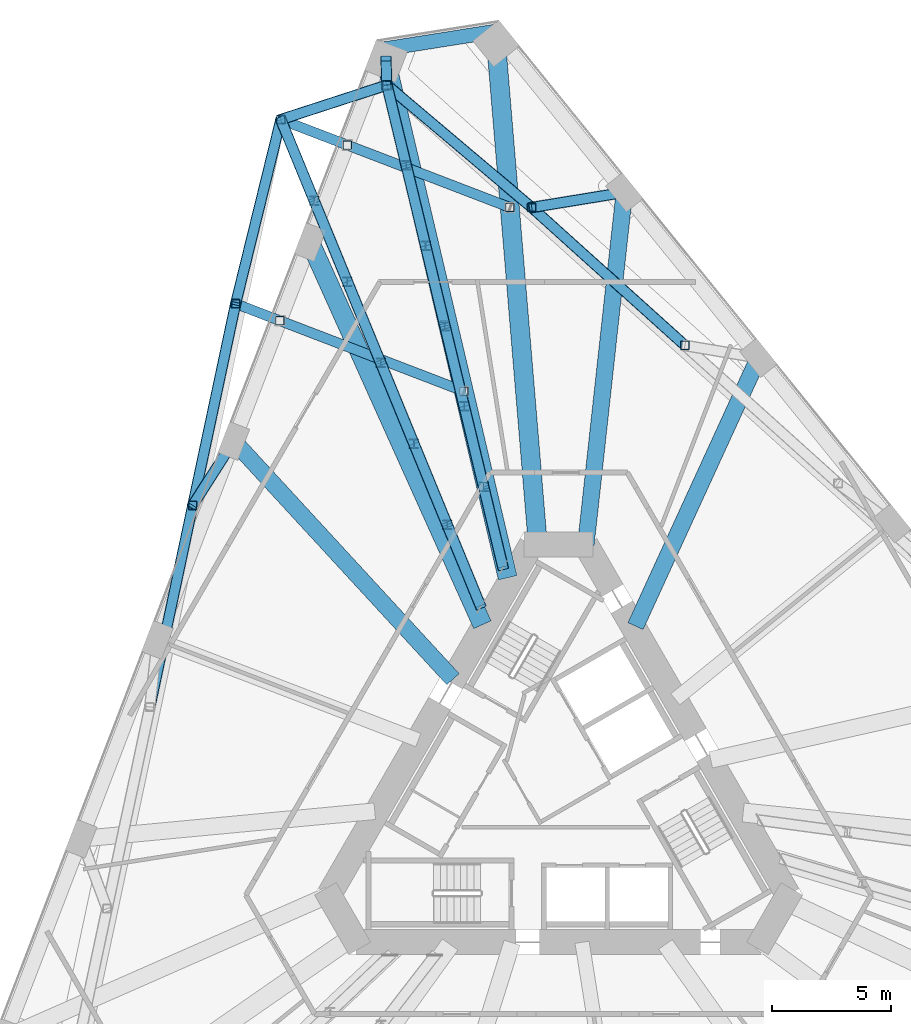
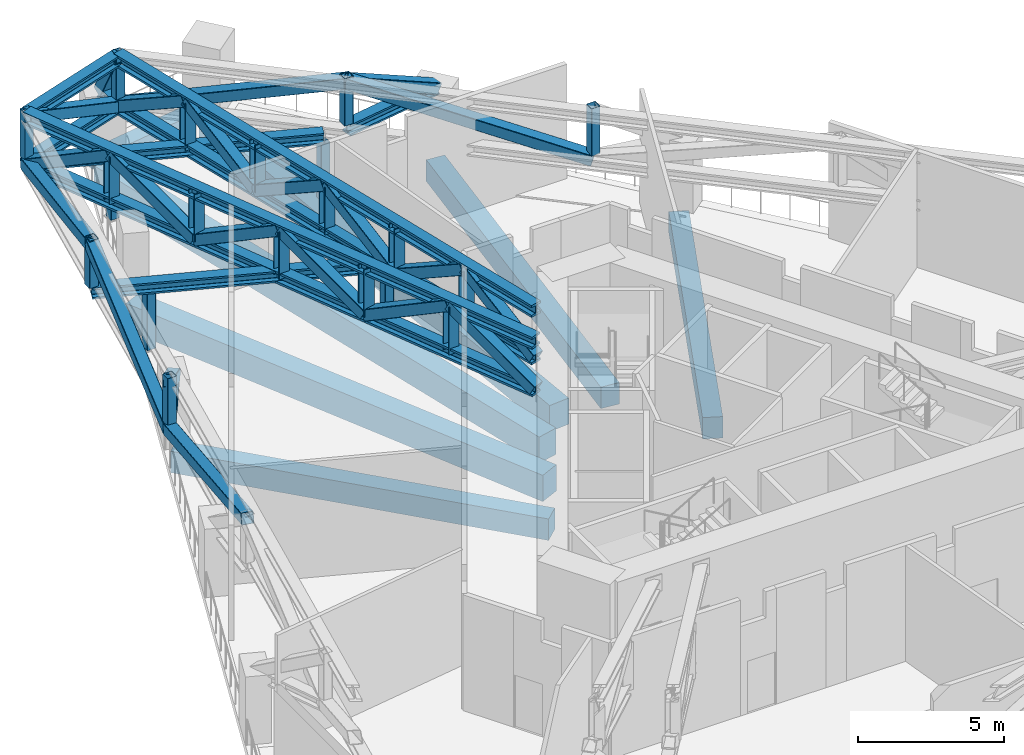
# One storey, part 7 of 20: 52 members, 7 beams.
"""IFC4 building model written with IfcOpenShell, lengths in metres."""

from ifc_helpers import new_model, si_unit, direction, frame, origin, origin_2d, place, context, subcontext, project, spatial, rectangle, hollow_rectangle, i_section, extrude, material, material_profile, profile_set, type_object, element, save


model = new_model("IFC4")

# Units and contexts
model_context = context("Model", 3, precision=1e-05, world=origin(), true_north=direction((0.0, 1.0)))
body_context = subcontext(model_context, "Body", "Model", "MODEL_VIEW")
ifc_project = project(units=[si_unit("LENGTHUNIT", "METRE"), si_unit("AREAUNIT", "SQUARE_METRE"), si_unit("VOLUMEUNIT", "CUBIC_METRE"), si_unit("PLANEANGLEUNIT", "RADIAN"), si_unit("MASSUNIT", "GRAM", prefix="KILO")], contexts=[model_context])

# Site, building, storey
site_placement = place(None, origin())
site = spatial("IfcSite", under=ifc_project, at=site_placement, CompositionType="ELEMENT")
building_placement = place(site_placement, origin())
building = spatial("IfcBuilding", under=site, at=building_placement, Name="Tramontana Tower", CompositionType="ELEMENT")
storey_placement = place(building_placement, frame((0.0, 0.0, 83.199951171875)))
storey = spatial("IfcBuildingStorey", under=building, at=storey_placement, Name="L18", CompositionType="ELEMENT", Elevation=83.199951171875)

# Members
ifc_material_1 = material(Name="Steel ASTM A500 Grade C", Category="steel")
ifc_material_profile_1 = material_profile(ifc_material_1, hollow_rectangle(XDim=0.355712890625, YDim=0.355712890625, WallThickness=0.01171875, InnerFilletRadius=0.01171875, OuterFilletRadius=0.023681640625, at=origin_2d()), Name="HSS14X14X1/2")
ifc_profile_set_1 = profile_set([ifc_material_profile_1], Name="Steel ASTM A500 Grade C")
member_type_1 = type_object("IfcMemberType", Name="Belt truss HSS14X14X1/2 post", PredefinedType="POST", material=ifc_profile_set_1)
for number, where, z_axis, x_axis, name in (
    (1, (-11.665771484375, 28.3251953125, 2.86376953125), (0.0, 0.0, 1.0), (1.0, 0.0, 0.0), "Belt truss post C2K1"),
    (2, (-13.5654296875, 20.5908203125, 2.86376953125), (0.0, 0.0, 1.0), (1.0, 0.0, 0.0), "Belt truss post C2F01"),
    (3, (-15.365966796875, 12.119873046875, 2.86376953125), (0.0, 0.0, 1.0), (1.0, 0.0, 0.0), "Belt truss post C2F02"),
    (4, (5.307373046875, 18.8369140625, 2.86376953125), (0.0, 0.0, 1.0), (1.0, 0.0, 0.0), "Belt truss post C2F14"),
    (5, (-1.12841796875, 24.6318359375, 2.86376953125), (0.0, 0.0, 1.0), (1.0, 0.0, 0.0), "Belt truss post C2F15"),
    (6, (-7.211181640625, 29.7724609375, 2.86376953125), (0.0, 0.0, 1.0), (1.0, 0.0, 0.0), "Belt truss post C2K6"),
):
    element("IfcMember", number, at=place(storey_placement, frame(where, z_axis=z_axis, x_axis=x_axis)), inside=storey, type_object=member_type_1, Name=name, PredefinedType="POST", context=body_context, shape_type="SweptSolid", body=[
        extrude(hollow_rectangle(XDim=0.355712890625, YDim=0.355712890625, WallThickness=0.01171875, InnerFilletRadius=0.01171875, OuterFilletRadius=0.023681640625, at=origin_2d()), origin(), (0.0, 0.0, 1.0), 1.986328125),
    ])
ifc_material_2 = material(Name="Steel ASTM A500 Grade C", Category="steel")
ifc_material_profile_2 = material_profile(ifc_material_2, hollow_rectangle(XDim=0.457275390625, YDim=0.457275390625, WallThickness=0.017822265625, InnerFilletRadius=0.017822265625, OuterFilletRadius=0.035400390625, at=origin_2d()), Name="HSS18X18X3/4")
ifc_profile_set_2 = profile_set([ifc_material_profile_2], Name="Steel ASTM A500 Grade C")
member_type_2 = type_object("IfcMemberType", Name="Belt truss HSS18X18X3/4 brace", PredefinedType="BRACE", material=ifc_profile_set_2)
member_1_placement = place(storey_placement, frame((-11.665771484375, 28.3251953125, 2.6318359375), z_axis=(-0.231433839461, -0.942272719974, 0.241992766721), x_axis=(0.971136795993, -0.238523213688, 0.0)))
element("IfcMember", 7, at=member_1_placement, inside=storey, type_object=member_type_2, Name="Belt truss diagonal S0.1", PredefinedType="BRACE", context=body_context, shape_type="SweptSolid", body=[
    extrude(hollow_rectangle(XDim=0.457275390625, YDim=0.457275390625, WallThickness=0.017822265625, InnerFilletRadius=0.017822265625, OuterFilletRadius=0.035400390625, at=origin_2d()), origin(), (0.0, 0.0, 1.0), 8.208251953125),
])
for number, where, z_axis, x_axis, name in (
    (8, (-13.5654296875, 20.5908203125, 4.6181640625), (-0.202647600211, -0.953391699594, -0.223558084788), (0.978148030837, -0.207909667332, 0.0), "Belt truss diagonal S0.2"),
    (9, (-15.365966796875, 12.119873046875, 2.6318359375), (-0.202647600211, -0.953391699594, 0.223558084788), (0.978148030837, -0.207909667332, 0.0), "Belt truss diagonal S0.3"),
):
    element("IfcMember", number, at=place(storey_placement, frame(where, z_axis=z_axis, x_axis=x_axis)), inside=storey, type_object=member_type_2, Name=name, PredefinedType="BRACE", context=body_context, shape_type="SweptSolid", body=[
        extrude(hollow_rectangle(XDim=0.457275390625, YDim=0.457275390625, WallThickness=0.017822265625, InnerFilletRadius=0.017822265625, OuterFilletRadius=0.035400390625, at=origin_2d()), origin(), (0.0, 0.0, 1.0), 8.885009765625),
    ])
member_2_placement = place(storey_placement, frame((5.307373046875, 18.8369140625, 2.6318359375), z_axis=(-0.724330544345, 0.652202488546, 0.223555756944), x_axis=(-0.669137596533, -0.743138531437, 0.0)))
element("IfcMember", 10, at=member_2_placement, inside=storey, type_object=member_type_2, Name="Belt truss diagonal S2.5", PredefinedType="BRACE", context=body_context, shape_type="SweptSolid", body=[
    extrude(hollow_rectangle(XDim=0.457275390625, YDim=0.457275390625, WallThickness=0.017822265625, InnerFilletRadius=0.017822265625, OuterFilletRadius=0.035400390625, at=origin_2d()), origin(), (0.0, 0.0, 1.0), 8.88525390625),
])
member_3_placement = place(storey_placement, frame((-1.12841796875, 24.6318359375, 4.6181640625), z_axis=(-0.741075934579, 0.626293191993, -0.24199854721), x_axis=(-0.645479015429, -0.763778004816, 0.0)))
element("IfcMember", 11, at=member_3_placement, inside=storey, type_object=member_type_2, Name="Belt truss diagonal S2.6", PredefinedType="BRACE", context=body_context, shape_type="SweptSolid", body=[
    extrude(hollow_rectangle(XDim=0.457275390625, YDim=0.457275390625, WallThickness=0.017822265625, InnerFilletRadius=0.017822265625, OuterFilletRadius=0.035400390625, at=origin_2d()), origin(), (0.0, 0.0, 1.0), 8.2080078125),
])
member_4_placement = place(storey_placement, frame((-7.211181640625, 29.7724609375, 2.6318359375), z_axis=(-0.875581665308, -0.284470465414, 0.390427076013), x_axis=(0.308994138449, -0.951063942332, 0.0)))
element("IfcMember", 12, at=member_4_placement, inside=storey, type_object=member_type_2, Name="Belt truss diagonal K0.1", PredefinedType="BRACE", context=body_context, shape_type="SweptSolid", body=[
    extrude(hollow_rectangle(XDim=0.457275390625, YDim=0.457275390625, WallThickness=0.017822265625, InnerFilletRadius=0.017822265625, OuterFilletRadius=0.035400390625, at=origin_2d()), origin(), (0.0, 0.0, 1.0), 5.087646484375),
])
ifc_material_3 = material(Name="Steel ASTM A992 Grade 50", Category="steel")
ifc_material_profile_3 = material_profile(ifc_material_3, i_section(OverallWidth=0.42236328125, OverallDepth=0.463623046875, WebThickness=0.04443359375, FlangeThickness=0.072998046875, FilletRadius=0.014892578125, at=origin_2d()), Name="W14X398")
ifc_profile_set_3 = profile_set([ifc_material_profile_3], Name="Steel ASTM A992 Grade 50")
member_type_3 = type_object("IfcMemberType", Name="Belt truss W14X398 chord", PredefinedType="CHORD", material=ifc_profile_set_3)
for number, where, z_axis, x_axis, name in (
    (13, (-7.211181640625, 29.7724609375, 2.6318359375), (-0.951063942332, -0.308994138449, 0.0), (0.308994138449, -0.951063942332, 0.0), "Belt truss bottom chord K0"),
    (14, (-7.211181640625, 29.7724609375, 4.6181640625), (-0.951063942332, -0.308994138449, 0.0), (0.308994138449, -0.951063942332, 0.0), "Belt truss top chord K0"),
):
    element("IfcMember", number, at=place(storey_placement, frame(where, z_axis=z_axis, x_axis=x_axis)), inside=storey, type_object=member_type_3, Name=name, PredefinedType="CHORD", context=body_context, shape_type="SweptSolid", body=[
        extrude(i_section(OverallWidth=0.42236328125, OverallDepth=0.463623046875, WebThickness=0.04443359375, FlangeThickness=0.072998046875, FilletRadius=0.014892578125, at=origin_2d()), origin(), (0.0, 0.0, 1.0), 4.683837890625),
    ])

# Beams
ifc_material_4 = material(Name="Concrete 40 MPa", Category="concrete")
ifc_material_profile_4 = material_profile(ifc_material_4, rectangle(XDim=0.60009765625, YDim=0.35009765625, at=origin_2d()), Name="RC EDGE BEAM 600X350 40 MPa")
ifc_profile_set_4 = profile_set([ifc_material_profile_4], Name="Concrete 40 MPa")
beam_type_1 = type_object("IfcBeamType", Name="RC EDGE BEAM 600X350 40 MPa", PredefinedType="SPANDREL", material=ifc_profile_set_4)
beam_1_placement = place(storey_placement, frame((-2.447509765625, 32.061767578125, -0.52490234375), z_axis=(-0.987692388858, -0.156408903173, 0.0), x_axis=(0.156408903173, -0.987692388858, 0.0)))
element("IfcBeam", 15, at=beam_1_placement, inside=storey, type_object=beam_type_1, Name="Spandrel beam K0 L18", PredefinedType="SPANDREL", context=body_context, shape_type="SweptSolid", body=[
    extrude(rectangle(XDim=0.60009765625, YDim=0.35009765625, at=origin_2d()), origin(), (0.0, 0.0, 1.0), 5.1962890625),
])
ifc_material_5 = material(Name="Concrete 40 MPa", Category="concrete")
ifc_material_profile_5 = material_profile(ifc_material_5, rectangle(XDim=0.699951171875, YDim=0.89990234375, at=origin_2d()), Name="RC GIRDER 700X900 40 MPa")
ifc_profile_set_5 = profile_set([ifc_material_profile_5], Name="Concrete 40 MPa")
beam_type_2 = type_object("IfcBeamType", Name="RC GIRDER 700X900 40 MPa", PredefinedType="BEAM", material=ifc_profile_set_5)
beam_2_placement = place(storey_placement, frame((-13.64404296875, 14.822998046875, -0.800048828125), z_axis=(0.677237750705, -0.735764248261, 0.0), x_axis=(0.735764248261, 0.677237750705, 0.0)))
element("IfcBeam", 16, at=beam_2_placement, inside=storey, type_object=beam_type_2, Name="Radial girder C1F02 L18", PredefinedType="BEAM", context=body_context, shape_type="SweptSolid", body=[
    extrude(rectangle(XDim=0.699951171875, YDim=0.89990234375, at=origin_2d()), origin(), (0.0, 0.0, 1.0), 13.598876953125),
])
beam_3_placement = place(storey_placement, frame((8.395751953125, 18.31396484375, -0.800048828125), z_axis=(-0.416724572993, -0.909032799333, 0.0), x_axis=(0.909032799333, -0.416724572993, 0.0)))
element("IfcBeam", 17, at=beam_3_placement, inside=storey, type_object=beam_type_2, Name="Radial girder C1F14 L18", PredefinedType="BEAM", context=body_context, shape_type="SweptSolid", body=[
    extrude(rectangle(XDim=0.699951171875, YDim=0.89990234375, at=origin_2d()), origin(), (0.0, 0.0, 1.0), 12.393798828125),
])
beam_4_placement = place(storey_placement, frame((2.763916015625, 25.2685546875, -0.800048828125), z_axis=(-0.108724057734, -0.994071968858, 0.0), x_axis=(0.994071968858, -0.108724057734, 0.0)))
element("IfcBeam", 18, at=beam_4_placement, inside=storey, type_object=beam_type_2, Name="Radial girder C1F15 L18", PredefinedType="BEAM", context=body_context, shape_type="SweptSolid", body=[
    extrude(rectangle(XDim=0.699951171875, YDim=0.89990234375, at=origin_2d()), origin(), (0.0, 0.0, 1.0), 14.878662109375),
])
ifc_material_6 = material(Name="Concrete 40 MPa", Category="concrete")
ifc_material_profile_6 = material_profile(ifc_material_6, rectangle(XDim=0.800048828125, YDim=1.10009765625, at=origin_2d()), Name="RC GIRDER 800X1100 40 MPa")
ifc_profile_set_6 = profile_set([ifc_material_profile_6], Name="Concrete 40 MPa")
beam_type_3 = type_object("IfcBeamType", Name="RC GIRDER 800X1100 40 MPa", PredefinedType="BEAM", material=ifc_profile_set_6)
beam_5_placement = place(storey_placement, frame((-7.24755859375, 30.7890625, -0.89990234375), z_axis=(0.229129631405, -0.973395917401, 0.0), x_axis=(0.973395917401, 0.229129631405, 0.0)))
element("IfcBeam", 19, at=beam_5_placement, inside=storey, type_object=beam_type_3, Name="Radial girder C1K1 L18", PredefinedType="BEAM", context=body_context, shape_type="SweptSolid", body=[
    extrude(rectangle(XDim=0.800048828125, YDim=1.10009765625, at=origin_2d()), origin(), (0.0, 0.0, 1.0), 22.30322265625),
])
beam_6_placement = place(storey_placement, frame((-10.43701171875, 23.177490234375, -0.89990234375), z_axis=(0.410600793892, -0.91181521596, 0.0), x_axis=(0.91181521596, 0.410600793892, 0.0)))
element("IfcBeam", 20, at=beam_6_placement, inside=storey, type_object=beam_type_3, Name="Radial girder C1F01 L18", PredefinedType="BEAM", context=body_context, shape_type="SweptSolid", body=[
    extrude(rectangle(XDim=0.800048828125, YDim=1.10009765625, at=origin_2d()), origin(), (0.0, 0.0, 1.0), 17.626220703125),
])
beam_7_placement = place(storey_placement, frame((-2.62158203125, 31.521728515625, -0.89990234375), z_axis=(0.082880913658, -0.996559458412, 0.0), x_axis=(0.996559458412, 0.082880913658, 0.0)))
element("IfcBeam", 21, at=beam_7_placement, inside=storey, type_object=beam_type_3, Name="Radial girder C1K6 L18", PredefinedType="BEAM", context=body_context, shape_type="SweptSolid", body=[
    extrude(rectangle(XDim=0.800048828125, YDim=1.10009765625, at=origin_2d()), origin(), (0.0, 0.0, 1.0), 21.11767578125),
])

# Members
ifc_material_7 = material(Name="Steel ASTM A500 Grade C", Category="steel")
ifc_material_profile_7 = material_profile(ifc_material_7, hollow_rectangle(XDim=0.355712890625, YDim=0.355712890625, WallThickness=0.01171875, InnerFilletRadius=0.01171875, OuterFilletRadius=0.023681640625, at=origin_2d()), Name="HSS14X14X1/2")
ifc_profile_set_7 = profile_set([ifc_material_profile_7], Name="Steel ASTM A500 Grade C")
member_type_4 = type_object("IfcMemberType", Name="Transfer truss HSS14X14X1/2 post", PredefinedType="POST", material=ifc_profile_set_7)
for number, where, z_axis, x_axis, name in (
    (22, (-11.704345703125, 19.87646484375, 0.0400390625), (0.0, 0.0, 1.0), (1.0, 0.0, 0.0), "Transfer truss post C2F01.1"),
    (23, (-3.98095703125, 16.91162109375, 0.0400390625), (0.0, 0.0, 1.0), (1.0, 0.0, 0.0), "Transfer truss post C2F01.2"),
    (24, (-8.872802734375, 27.2529296875, 0.0400390625), (0.0, 0.0, 1.0), (1.0, 0.0, 0.0), "Transfer truss post C2K1.1"),
    (25, (-2.048583984375, 24.633544921875, 0.0400390625), (0.0, 0.0, 1.0), (1.0, 0.0, 0.0), "Transfer truss post C2K1.2"),
):
    element("IfcMember", number, at=place(storey_placement, frame(where, z_axis=z_axis, x_axis=x_axis)), inside=storey, type_object=member_type_4, Name=name, PredefinedType="POST", context=body_context, shape_type="SweptSolid", body=[
        extrude(hollow_rectangle(XDim=0.355712890625, YDim=0.355712890625, WallThickness=0.01171875, InnerFilletRadius=0.01171875, OuterFilletRadius=0.023681640625, at=origin_2d()), origin(), (0.0, 0.0, 1.0), 2.360107421875),
    ])
ifc_material_8 = material(Name="Steel ASTM A500 Grade C", Category="steel")
ifc_material_profile_8 = material_profile(ifc_material_8, hollow_rectangle(XDim=0.457275390625, YDim=0.457275390625, WallThickness=0.017822265625, InnerFilletRadius=0.017822265625, OuterFilletRadius=0.035400390625, at=origin_2d()), Name="HSS18X18X3/4")
ifc_profile_set_8 = profile_set([ifc_material_profile_8], Name="Steel ASTM A500 Grade C")
member_type_5 = type_object("IfcMemberType", Name="Transfer truss HSS18X18X3/4 brace", PredefinedType="BRACE", material=ifc_profile_set_8)
member_5_placement = place(storey_placement, frame((-13.64404296875, 14.822998046875, 2.6318359375), z_axis=(-0.456671338432, -0.716895655624, 0.526793989718), x_axis=(0.8434136039, -0.537264825534, 0.0)))
element("IfcMember", 26, at=member_5_placement, inside=storey, type_object=member_type_5, Name="Transfer truss strut C2F02 diagonal", PredefinedType="BRACE", context=body_context, shape_type="SweptSolid", body=[
    extrude(hollow_rectangle(XDim=0.457275390625, YDim=0.457275390625, WallThickness=0.017822265625, InnerFilletRadius=0.017822265625, OuterFilletRadius=0.035400390625, at=origin_2d()), origin(), (0.0, 0.0, 1.0), 3.7705078125),
])
member_6_placement = place(storey_placement, frame((2.763916015625, 25.2685546875, 2.6318359375), z_axis=(-0.881413542799, -0.144184063201, 0.4498012033), x_axis=(0.161437050397, -0.986883011688, 0.0)))
element("IfcMember", 27, at=member_6_placement, inside=storey, type_object=member_type_5, Name="Transfer truss strut C2F15 diagonal", PredefinedType="BRACE", context=body_context, shape_type="SweptSolid", body=[
    extrude(hollow_rectangle(XDim=0.457275390625, YDim=0.457275390625, WallThickness=0.017822265625, InnerFilletRadius=0.017822265625, OuterFilletRadius=0.035400390625, at=origin_2d()), origin(), (0.0, 0.0, 1.0), 4.416015625),
])
member_7_placement = place(storey_placement, frame((-7.24755859375, 30.7890625, 2.6318359375), z_axis=(0.016300409147, -0.455536266376, 0.890067978683), x_axis=(0.99936040614, 0.035760014533, 0.0)))
element("IfcMember", 28, at=member_7_placement, inside=storey, type_object=member_type_5, Name="Transfer truss strut C2K6 diagonal", PredefinedType="BRACE", context=body_context, shape_type="SweptSolid", body=[
    extrude(hollow_rectangle(XDim=0.457275390625, YDim=0.457275390625, WallThickness=0.017822265625, InnerFilletRadius=0.017822265625, OuterFilletRadius=0.035400390625, at=origin_2d()), origin(), (0.0, 0.0, 1.0), 2.231689453125),
])
for number, where, z_axis, x_axis, name in (
    (29, (-2.338134765625, 9.5302734375, 2.6318359375), (-0.20315287351, 0.84375305265, 0.496799452624), (-0.972216521015, -0.234083395963, 0.0), "Transfer truss diagonal 5.1"),
    (30, (-3.150390625, 12.90380859375, 4.6181640625), (-0.203083867149, 0.843781106476, -0.49678001898), (-0.972236384004, -0.234000883798, 0.0), "Transfer truss diagonal 5.2"),
):
    element("IfcMember", number, at=place(storey_placement, frame(where, z_axis=z_axis, x_axis=x_axis)), inside=storey, type_object=member_type_5, Name=name, PredefinedType="BRACE", context=body_context, shape_type="SweptSolid", body=[
        extrude(hollow_rectangle(XDim=0.457275390625, YDim=0.457275390625, WallThickness=0.017822265625, InnerFilletRadius=0.017822265625, OuterFilletRadius=0.035400390625, at=origin_2d()), origin(), (0.0, 0.0, 1.0), 3.998291015625),
    ])
for number, where, z_axis, x_axis, name in (
    (31, (-3.96240234375, 16.277587890625, 2.6318359375), (-0.203142407271, 0.843770642045, 0.496773857998), (-0.972220375927, -0.234067384811, 0.0), "Transfer truss diagonal 5.3"),
    (32, (-4.774658203125, 19.6513671875, 4.6181640625), (-0.203142407271, 0.843770642045, -0.496773857998), (-0.972220375927, -0.234067384811, 0.0), "Transfer truss diagonal 5.4"),
):
    element("IfcMember", number, at=place(storey_placement, frame(where, z_axis=z_axis, x_axis=x_axis)), inside=storey, type_object=member_type_5, Name=name, PredefinedType="BRACE", context=body_context, shape_type="SweptSolid", body=[
        extrude(hollow_rectangle(XDim=0.457275390625, YDim=0.457275390625, WallThickness=0.017822265625, InnerFilletRadius=0.017822265625, OuterFilletRadius=0.035400390625, at=origin_2d()), origin(), (0.0, 0.0, 1.0), 3.99853515625),
    ])
for number, where, z_axis, x_axis, name in (
    (33, (-5.5869140625, 23.025146484375, 2.6318359375), (-0.20315287351, 0.84375305265, 0.496799452624), (-0.972216521015, -0.234083395963, 0.0), "Transfer truss diagonal 5.5"),
    (34, (-6.399169921875, 26.398681640625, 4.6181640625), (-0.203083867149, 0.843781106476, -0.49678001898), (-0.972236384004, -0.234000883798, 0.0), "Transfer truss diagonal 5.6"),
):
    element("IfcMember", number, at=place(storey_placement, frame(where, z_axis=z_axis, x_axis=x_axis)), inside=storey, type_object=member_type_5, Name=name, PredefinedType="BRACE", context=body_context, shape_type="SweptSolid", body=[
        extrude(hollow_rectangle(XDim=0.457275390625, YDim=0.457275390625, WallThickness=0.017822265625, InnerFilletRadius=0.017822265625, OuterFilletRadius=0.035400390625, at=origin_2d()), origin(), (0.0, 0.0, 1.0), 3.998291015625),
    ])
for number, where, z_axis, x_axis, name in (
    (35, (-3.27978515625, 7.8994140625, 2.6318359375), (-0.334227011379, 0.814054401164, 0.474981827874), (-0.925066440554, -0.379805319289, 0.0), "Transfer truss diagonal 6.1"),
    (36, (-4.677490234375, 11.3037109375, 4.6181640625), (-0.334227011379, 0.814054401164, -0.474981827874), (-0.925066440554, -0.379805319289, 0.0), "Transfer truss diagonal 6.2"),
    (37, (-6.0751953125, 14.7080078125, 2.6318359375), (-0.334227011379, 0.814054401164, 0.474981827874), (-0.925066440554, -0.379805319289, 0.0), "Transfer truss diagonal 6.3"),
    (38, (-7.472900390625, 18.1123046875, 4.6181640625), (-0.334175151122, 0.814070284284, -0.474991095305), (-0.925089748178, -0.379748545509, 0.0), "Transfer truss diagonal 6.4"),
    (39, (-8.870361328125, 21.5166015625, 2.6318359375), (-0.334227011379, 0.814054401164, 0.474981827874), (-0.925066440554, -0.379805319289, 0.0), "Transfer truss diagonal 6.5"),
    (40, (-10.26806640625, 24.9208984375, 4.6181640625), (-0.334227011379, 0.814054401164, -0.474981827874), (-0.925066440554, -0.379805319289, 0.0), "Transfer truss diagonal 6.6"),
):
    element("IfcMember", number, at=place(storey_placement, frame(where, z_axis=z_axis, x_axis=x_axis)), inside=storey, type_object=member_type_5, Name=name, PredefinedType="BRACE", context=body_context, shape_type="SweptSolid", body=[
        extrude(hollow_rectangle(XDim=0.457275390625, YDim=0.457275390625, WallThickness=0.017822265625, InnerFilletRadius=0.017822265625, OuterFilletRadius=0.035400390625, at=origin_2d()), origin(), (0.0, 0.0, 1.0), 4.181884765625),
    ])
ifc_material_9 = material(Name="Steel ASTM A992 Grade 50", Category="steel")
ifc_material_profile_9 = material_profile(ifc_material_9, i_section(OverallWidth=0.4033203125, OverallDepth=0.406494140625, WebThickness=0.027099609375, FlangeThickness=0.04443359375, FilletRadius=0.01513671875, at=origin_2d()), Name="W14X233")
ifc_profile_set_9 = profile_set([ifc_material_profile_9], Name="Steel ASTM A992 Grade 50")
member_type_6 = type_object("IfcMemberType", Name="Transfer truss W14X233 post", PredefinedType="POST", material=ifc_profile_set_9)
for number, where, z_axis, x_axis, name in (
    (41, (-3.150390625, 12.90380859375, 2.6318359375), (0.0, 0.0, 1.0), (1.0, 0.0, 0.0), "Transfer truss post 5.1"),
    (42, (-3.96240234375, 16.277587890625, 2.6318359375), (0.0, 0.0, 1.0), (1.0, 0.0, 0.0), "Transfer truss post 5.2"),
    (43, (-4.774658203125, 19.6513671875, 2.6318359375), (0.0, 0.0, 1.0), (1.0, 0.0, 0.0), "Transfer truss post 5.3"),
    (44, (-5.5869140625, 23.025146484375, 2.6318359375), (0.0, 0.0, 1.0), (1.0, 0.0, 0.0), "Transfer truss post 5.4"),
    (45, (-6.399169921875, 26.398681640625, 2.6318359375), (0.0, 0.0, 1.0), (1.0, 0.0, 0.0), "Transfer truss post 5.5"),
    (46, (-4.677490234375, 11.3037109375, 2.6318359375), (0.0, 0.0, 1.0), (1.0, 0.0, 0.0), "Transfer truss post 6.1"),
    (47, (-6.0751953125, 14.7080078125, 2.6318359375), (0.0, 0.0, 1.0), (1.0, 0.0, 0.0), "Transfer truss post 6.2"),
    (48, (-7.472900390625, 18.1123046875, 2.6318359375), (0.0, 0.0, 1.0), (1.0, 0.0, 0.0), "Transfer truss post 6.3"),
    (49, (-8.870361328125, 21.5166015625, 2.6318359375), (0.0, 0.0, 1.0), (1.0, 0.0, 0.0), "Transfer truss post 6.4"),
    (50, (-10.26806640625, 24.9208984375, 2.6318359375), (0.0, 0.0, 1.0), (1.0, 0.0, 0.0), "Transfer truss post 6.5"),
):
    element("IfcMember", number, at=place(storey_placement, frame(where, z_axis=z_axis, x_axis=x_axis)), inside=storey, type_object=member_type_6, Name=name, PredefinedType="POST", context=body_context, shape_type="SweptSolid", body=[
        extrude(i_section(OverallWidth=0.4033203125, OverallDepth=0.406494140625, WebThickness=0.027099609375, FlangeThickness=0.04443359375, FilletRadius=0.01513671875, at=origin_2d()), origin(), (0.0, 0.0, 1.0), 1.986328125),
    ])
ifc_material_10 = material(Name="Steel ASTM A992 Grade 50", Category="steel")
ifc_material_profile_10 = material_profile(ifc_material_10, i_section(OverallWidth=0.42236328125, OverallDepth=0.463623046875, WebThickness=0.04443359375, FlangeThickness=0.072998046875, FilletRadius=0.014892578125, at=origin_2d()), Name="W14X398")
ifc_profile_set_10 = profile_set([ifc_material_profile_10], Name="Steel ASTM A992 Grade 50")
member_type_7 = type_object("IfcMemberType", Name="Transfer truss W14X398 chord", PredefinedType="CHORD", material=ifc_profile_set_10)
member_8_placement = place(storey_placement, frame((-13.5654296875, 20.5908203125, 2.6318359375), z_axis=(0.933578312429, -0.358373456832, 0.0), x_axis=(0.358373456832, 0.933578312429, 0.0)))
element("IfcMember", 51, at=member_8_placement, inside=storey, type_object=member_type_7, Name="Transfer truss girder C2F01", PredefinedType="CHORD", context=body_context, shape_type="SweptSolid", body=[
    extrude(i_section(OverallWidth=0.42236328125, OverallDepth=0.463623046875, WebThickness=0.04443359375, FlangeThickness=0.072998046875, FilletRadius=0.014892578125, at=origin_2d()), origin(), (0.0, 0.0, 1.0), 10.266357421875),
])
member_9_placement = place(storey_placement, frame((-11.665771484375, 28.3251953125, 2.6318359375), z_axis=(0.93358179084, -0.358364395291, 0.0), x_axis=(0.358364395291, 0.93358179084, 0.0)))
element("IfcMember", 52, at=member_9_placement, inside=storey, type_object=member_type_7, Name="Transfer truss girder C2K1", PredefinedType="CHORD", context=body_context, shape_type="SweptSolid", body=[
    extrude(i_section(OverallWidth=0.42236328125, OverallDepth=0.463623046875, WebThickness=0.04443359375, FlangeThickness=0.072998046875, FilletRadius=0.014892578125, at=origin_2d()), origin(), (0.0, 0.0, 1.0), 10.30126953125),
])
ifc_material_11 = material(Name="Steel ASTM A992 Grade 50", Category="steel")
ifc_material_profile_11 = material_profile(ifc_material_11, i_section(OverallWidth=0.42236328125, OverallDepth=0.463623046875, WebThickness=0.04443359375, FlangeThickness=0.072998046875, FilletRadius=0.014892578125, at=origin_2d()), Name="W14X398")
ifc_profile_set_11 = profile_set([ifc_material_profile_11], Name="Steel ASTM A992 Grade 50")
member_type_8 = type_object("IfcMemberType", Name="Transfer truss W14X398 strut", PredefinedType="STRUT", material=ifc_profile_set_11)
member_10_placement = place(storey_placement, frame((-13.64404296875, 14.822998046875, 2.6318359375), z_axis=(-0.537264825534, -0.8434136039, 0.0), x_axis=(0.8434136039, -0.537264825534, 0.0)))
element("IfcMember", 53, at=member_10_placement, inside=storey, type_object=member_type_8, Name="Transfer truss strut C2F02 bottom", PredefinedType="STRUT", context=body_context, shape_type="SweptSolid", body=[
    extrude(i_section(OverallWidth=0.42236328125, OverallDepth=0.463623046875, WebThickness=0.04443359375, FlangeThickness=0.072998046875, FilletRadius=0.014892578125, at=origin_2d()), origin(), (0.0, 0.0, 1.0), 3.205078125),
])
member_11_placement = place(storey_placement, frame((2.763916015625, 25.2685546875, 2.6318359375), z_axis=(-0.986883011688, -0.161437050397, 0.0), x_axis=(0.161437050397, -0.986883011688, 0.0)))
element("IfcMember", 54, at=member_11_placement, inside=storey, type_object=member_type_8, Name="Transfer truss strut C2F15 bottom", PredefinedType="STRUT", context=body_context, shape_type="SweptSolid", body=[
    extrude(i_section(OverallWidth=0.42236328125, OverallDepth=0.463623046875, WebThickness=0.04443359375, FlangeThickness=0.072998046875, FilletRadius=0.014892578125, at=origin_2d()), origin(), (0.0, 0.0, 1.0), 3.944091796875),
])
member_12_placement = place(storey_placement, frame((-7.24755859375, 30.7890625, 2.6318359375), z_axis=(0.035760014533, -0.99936040614, 0.0), x_axis=(0.99936040614, 0.035760014533, 0.0)))
element("IfcMember", 55, at=member_12_placement, inside=storey, type_object=member_type_8, Name="Transfer truss strut C2K6 bottom", PredefinedType="STRUT", context=body_context, shape_type="SweptSolid", body=[
    extrude(i_section(OverallWidth=0.42236328125, OverallDepth=0.463623046875, WebThickness=0.04443359375, FlangeThickness=0.072998046875, FilletRadius=0.014892578125, at=origin_2d()), origin(), (0.0, 0.0, 1.0), 1.017333984375),
])
ifc_material_12 = material(Name="Steel ASTM A992 Grade 50", Category="steel")
ifc_material_profile_12 = material_profile(ifc_material_12, i_section(OverallWidth=0.431884765625, OverallDepth=0.49853515625, WebThickness=0.0556640625, FlangeThickness=0.0888671875, FilletRadius=0.01513671875, at=origin_2d()), Name="W14X500")
ifc_profile_set_12 = profile_set([ifc_material_profile_12], Name="Steel ASTM A992 Grade 50")
member_type_9 = type_object("IfcMemberType", Name="Transfer truss W14X500 chord", PredefinedType="CHORD", material=ifc_profile_set_12)
for number, where, z_axis, x_axis, name in (
    (56, (-2.338134765625, 9.5302734375, 2.6318359375), (-0.234050554539, 0.972224427753, 0.0), (-0.972224427753, -0.234050554539, 0.0), "Transfer truss bottom chord 5"),
    (57, (-2.338134765625, 9.5302734375, 4.6181640625), (-0.234050554539, 0.972224427753, 0.0), (-0.972224427753, -0.234050554539, 0.0), "Transfer truss top chord 5"),
):
    element("IfcMember", number, at=place(storey_placement, frame(where, z_axis=z_axis, x_axis=x_axis)), inside=storey, type_object=member_type_9, Name=name, PredefinedType="CHORD", context=body_context, shape_type="SweptSolid", body=[
        extrude(i_section(OverallWidth=0.431884765625, OverallDepth=0.49853515625, WebThickness=0.0556640625, FlangeThickness=0.0888671875, FilletRadius=0.01513671875, at=origin_2d()), origin(), (0.0, 0.0, 1.0), 20.820556640625),
    ])
for number, where, z_axis, x_axis, name in (
    (58, (-3.27978515625, 7.8994140625, 2.6318359375), (-0.379795857291, 0.925070325318, 0.0), (-0.925070325318, -0.379795857291, 0.0), "Transfer truss bottom chord 6"),
    (59, (-3.27978515625, 7.8994140625, 4.6181640625), (-0.379795857291, 0.925070325318, 0.0), (-0.925070325318, -0.379795857291, 0.0), "Transfer truss top chord 6"),
):
    element("IfcMember", number, at=place(storey_placement, frame(where, z_axis=z_axis, x_axis=x_axis)), inside=storey, type_object=member_type_9, Name=name, PredefinedType="CHORD", context=body_context, shape_type="SweptSolid", body=[
        extrude(i_section(OverallWidth=0.431884765625, OverallDepth=0.49853515625, WebThickness=0.0556640625, FlangeThickness=0.0888671875, FilletRadius=0.01513671875, at=origin_2d()), origin(), (0.0, 0.0, 1.0), 22.080322265625),
    ])

save(model, "model.ifc")
